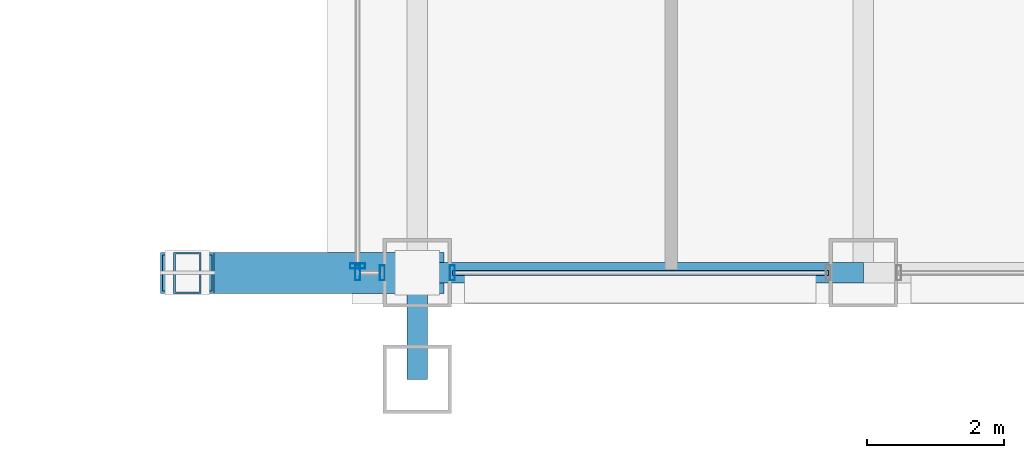
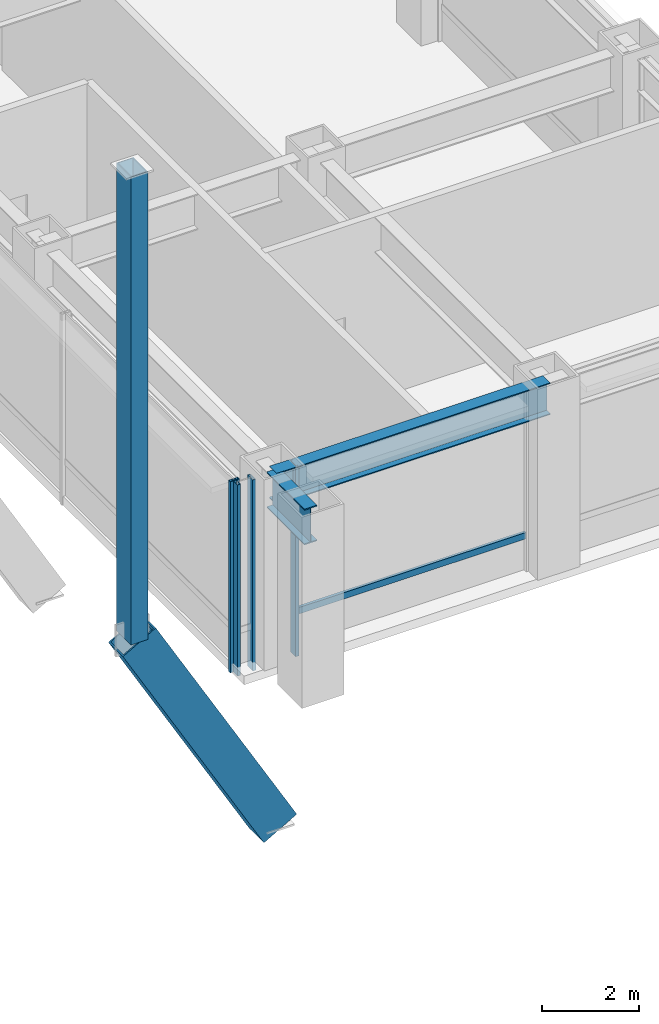
# One storey, part 8 of 40: 7 members, 2 beams, 3 elements without a shape of their own.
"""IFC4 building model written with IfcOpenShell, lengths in metres."""

from ifc_helpers import new_model, si_unit, direction, frame, origin, origin_2d, place, context, subcontext, project, spatial, hollow_rectangle, i_section, extrude, material, layer, layer_set, material_profile, profile_set, type_object, element, aggregate, save


model = new_model("IFC4")

# Units and contexts
model_context = context("Model", 3, precision=1e-05, world=origin(), true_north=direction((0.0, 1.0)))
body_context = subcontext(model_context, "Body", "Model", "MODEL_VIEW")
ifc_project = project(units=[si_unit("LENGTHUNIT", "METRE"), si_unit("AREAUNIT", "SQUARE_METRE"), si_unit("VOLUMEUNIT", "CUBIC_METRE"), si_unit("PLANEANGLEUNIT", "RADIAN"), si_unit("MASSUNIT", "GRAM", prefix="KILO")], contexts=[model_context])

# Site, building, storey
site_placement = place(None, origin())
site = spatial("IfcSite", under=ifc_project, at=site_placement, CompositionType="ELEMENT")
building_placement = place(site_placement, origin())
building = spatial("IfcBuilding", under=site, at=building_placement, Name="Brelmoor Portico Tower", CompositionType="ELEMENT")
storey_placement = place(building_placement, frame((0.0, 0.0, 4.800048828125)))
storey = spatial("IfcBuildingStorey", under=building, at=storey_placement, Name="L01", CompositionType="ELEMENT", Elevation=4.800048828125)

# Beams
ifc_material_1 = material(Name="Steel Q355B", Category="steel")
ifc_material_profile_1 = material_profile(ifc_material_1, i_section(OverallWidth=0.300048828125, OverallDepth=0.89990234375, WebThickness=0.01611328125, FlangeThickness=0.028076171875, at=origin_2d()), Name="HN 900x300x16x28")
ifc_profile_set_1 = profile_set([ifc_material_profile_1], Name="Steel Q355B")
beam_type_1 = type_object("IfcBeamType", Name="BM-PG-900", PredefinedType="BEAM", material=ifc_profile_set_1)
beam_1_placement = place(storey_placement, frame((14.550048828125, -29.10009765625, 4.1298828125), z_axis=(0.0, 1.0, 0.0), x_axis=(-1.0, 0.0, 0.0)))
element("IfcBeam", 1, at=beam_1_placement, inside=storey, type_object=beam_type_1, Name="L01 Primary Floor Girder PG-11", PredefinedType="BEAM", context=body_context, shape_type="SweptSolid", body=[
    extrude(i_section(OverallWidth=0.300048828125, OverallDepth=0.89990234375, WebThickness=0.01611328125, FlangeThickness=0.028076171875, at=origin_2d()), origin(), (0.0, 0.0, 1.0), 1.550048828125),
])
ifc_material_profile_2 = material_profile(ifc_material_1, i_section(OverallWidth=0.300048828125, OverallDepth=0.800048828125, WebThickness=0.013916015625, FlangeThickness=0.02587890625, at=origin_2d()), Name="HN 800x300x14x26")
ifc_profile_set_2 = profile_set([ifc_material_profile_2], Name="Steel Q355B")
beam_type_2 = type_object("IfcBeamType", Name="BM-SP-800", PredefinedType="SPANDREL", material=ifc_profile_set_2)
beam_2_placement = place(storey_placement, frame((14.550048828125, -27.550048828125, 4.179931640625), z_axis=(1.0, 0.0, 0.0), x_axis=(0.0, 1.0, 0.0)))
element("IfcBeam", 2, at=beam_2_placement, inside=storey, type_object=beam_type_2, Name="L01 Perimeter Spandrel Beam SP-03", PredefinedType="SPANDREL", context=body_context, shape_type="SweptSolid", body=[
    extrude(i_section(OverallWidth=0.300048828125, OverallDepth=0.800048828125, WebThickness=0.013916015625, FlangeThickness=0.02587890625, at=origin_2d()), origin(), (0.0, 0.0, 1.0), 6.5),
])

# Members
ifc_material_2 = material(Name="Steel Q420B", Category="steel")
ifc_material_profile_3 = material_profile(ifc_material_2, hollow_rectangle(XDim=0.60009765625, YDim=0.89990234375, WallThickness=0.035888671875, at=origin_2d()), Name="RHS 600x900x36")
ifc_profile_set_3 = profile_set([ifc_material_profile_3], Name="Steel Q420B")
member_type_1 = type_object("IfcMemberType", Name="MB-ARCH-RIB", PredefinedType="CHORD", material=ifc_profile_set_3)
member_1_placement = place(storey_placement, frame((11.199951171875, -27.550048828125, 1.599853515625), z_axis=(0.496957759354, 0.0, -0.867774731954), x_axis=(0.0, 1.0, 0.0)))
element("IfcMember", 3, at=member_1_placement, inside=storey, type_object=member_type_1, Name="Giant Portico Arch Rib S1-8", PredefinedType="CHORD", context=body_context, shape_type="SweptSolid", body=[
    extrude(hollow_rectangle(XDim=0.60009765625, YDim=0.89990234375, WallThickness=0.035888671875, at=origin_2d()), origin(), (0.0, 0.0, 1.0), 6.7412109375),
])
ifc_material_profile_4 = material_profile(ifc_material_1, hollow_rectangle(XDim=0.39990234375, YDim=0.60009765625, WallThickness=0.02392578125, at=origin_2d()), Name="RHS 400x600x24")
ifc_profile_set_4 = profile_set([ifc_material_profile_4], Name="Steel Q355B")
member_type_2 = type_object("IfcMemberType", Name="MB-ARCH-STRUT", PredefinedType="BRACE", material=ifc_profile_set_4)
member_2_placement = place(storey_placement, frame((11.199951171875, -27.550048828125, 1.599853515625), z_axis=(0.0, 0.0, 1.0), x_axis=(1.0, 0.0, 0.0)))
element("IfcMember", 4, at=member_2_placement, inside=storey, type_object=member_type_2, Name="Portico Arch Spandrel Strut S1-6", PredefinedType="BRACE", context=body_context, shape_type="SweptSolid", body=[
    extrude(hollow_rectangle(XDim=0.39990234375, YDim=0.60009765625, WallThickness=0.02392578125, at=origin_2d()), origin(), (0.0, 0.0, 1.0), 11.755126953125),
])

# Curtain wall, members
ifc_material_3 = material(Name="Anodised Aluminium Alloy 6063-T6", Category="aluminium")
ifc_layer = layer(ifc_material_3, 0.179931640625)
ifc_layer_set = layer_set([ifc_layer], Name="Anodised Aluminium Alloy 6063-T6")
curtain_wall_type = type_object("IfcCurtainWallType", Name="CW-PODIUM-ARCH", PredefinedType="NOTDEFINED", material=ifc_layer_set)
curtain_wall_1_placement = place(storey_placement, origin())
curtain_wall_1 = element("IfcCurtainWall", 5, at=curtain_wall_1_placement, inside=storey, type_object=curtain_wall_type, Name="L01 Curtain Wall CW-L01-02-1", PredefinedType="NOTDEFINED")
ifc_material_profile_5 = material_profile(ifc_material_3, hollow_rectangle(XDim=0.074951171875, YDim=0.219970703125, WallThickness=0.0048828125, at=origin_2d()), Name="ALU MULLION 75x220")
ifc_profile_set_5 = profile_set([ifc_material_profile_5], Name="Anodised Aluminium Alloy 6063-T6")
member_type_3 = type_object("IfcMemberType", Name="MB-CW-MULL-220", PredefinedType="MULLION", material=ifc_profile_set_5)
member_3_placement = place(storey_placement, frame((13.679931640625, -27.550048828125, -0.219970703125), z_axis=(0.0, 0.0, 1.0), x_axis=(1.0, 0.0, 0.0)))
member_3 = element("IfcMember", 6, at=member_3_placement, type_object=member_type_3, Name="CW-L01-02-1 Mullion 00", PredefinedType="MULLION", context=body_context, shape_type="SweptSolid", body=[
    extrude(hollow_rectangle(XDim=0.074951171875, YDim=0.219970703125, WallThickness=0.0048828125, at=origin_2d()), origin(), (0.0, 0.0, 1.0), 4.7998046875),
])
member_4_placement = place(storey_placement, frame((14.0400390625, -27.550048828125, -0.219970703125), z_axis=(0.0, 0.0, 1.0), x_axis=(1.0, 0.0, 0.0)))
member_4 = element("IfcMember", 7, at=member_4_placement, type_object=member_type_3, Name="CW-L01-02-1 Mullion 01", PredefinedType="MULLION", context=body_context, shape_type="SweptSolid", body=[
    extrude(hollow_rectangle(XDim=0.074951171875, YDim=0.219970703125, WallThickness=0.0048828125, at=origin_2d()), origin(), (0.0, 0.0, 1.0), 4.7998046875),
])
aggregate(curtain_wall_1, [member_3, member_4])

# Curtain wall, member
curtain_wall_2_placement = place(storey_placement, origin())
curtain_wall_2 = element("IfcCurtainWall", 8, at=curtain_wall_2_placement, inside=storey, type_object=curtain_wall_type, Name="L01 Curtain Wall CW-L01-02-2", PredefinedType="NOTDEFINED")
member_5_placement = place(storey_placement, frame((15.06005859375, -27.550048828125, -0.219970703125), z_axis=(0.0, 0.0, 1.0), x_axis=(1.0, 0.0, 0.0)))
member_5 = element("IfcMember", 9, at=member_5_placement, type_object=member_type_3, Name="CW-L01-02-2 Mullion 00", PredefinedType="MULLION", context=body_context, shape_type="SweptSolid", body=[
    extrude(hollow_rectangle(XDim=0.074951171875, YDim=0.219970703125, WallThickness=0.0048828125, at=origin_2d()), origin(), (0.0, 0.0, 1.0), 4.7998046875),
])

curtain_wall_3_placement = place(storey_placement, origin())
curtain_wall_3 = element("IfcCurtainWall", 10, at=curtain_wall_3_placement, inside=storey, type_object=curtain_wall_type, Name="L01 Curtain Wall CW-L01-08", PredefinedType="NOTDEFINED")
member_6_placement = place(storey_placement, frame((13.679931640625, -27.449951171875, -0.219970703125), z_axis=(0.0, 0.0, 1.0), x_axis=(0.0, 1.0, 0.0)))
member_6 = element("IfcMember", 11, at=member_6_placement, type_object=member_type_3, Name="CW-L01-08 Mullion 00", PredefinedType="MULLION", context=body_context, shape_type="SweptSolid", body=[
    extrude(hollow_rectangle(XDim=0.074951171875, YDim=0.219970703125, WallThickness=0.0048828125, at=origin_2d()), origin(), (0.0, 0.0, 1.0), 4.7998046875),
])
aggregate(curtain_wall_3, [member_6])

# Member
ifc_material_profile_6 = material_profile(ifc_material_3, hollow_rectangle(XDim=0.070068359375, YDim=0.159912109375, WallThickness=0.00390625, at=origin_2d()), Name="ALU TRANSOM 70x160")
ifc_profile_set_6 = profile_set([ifc_material_profile_6], Name="Anodised Aluminium Alloy 6063-T6")
member_type_4 = type_object("IfcMemberType", Name="MB-CW-TRAN-160", PredefinedType="USERDEFINED", material=ifc_profile_set_6)
member_7_placement = place(storey_placement, frame((15.06005859375, -27.550048828125, 0.849853515625), z_axis=(1.0, 0.0, 0.0), x_axis=(0.0, 1.0, 0.0)))
member_7 = element("IfcMember", 12, at=member_7_placement, type_object=member_type_4, Name="CW-L01-02-2 Transom 1-00", ObjectType="TRANSOM", PredefinedType="USERDEFINED", context=body_context, shape_type="SweptSolid", body=[
    extrude(hollow_rectangle(XDim=0.070068359375, YDim=0.159912109375, WallThickness=0.00390625, at=origin_2d()), origin(), (0.0, 0.0, 1.0), 5.47998046875),
])

aggregate(curtain_wall_2, [member_5, member_7])

save(model, "model.ifc")
